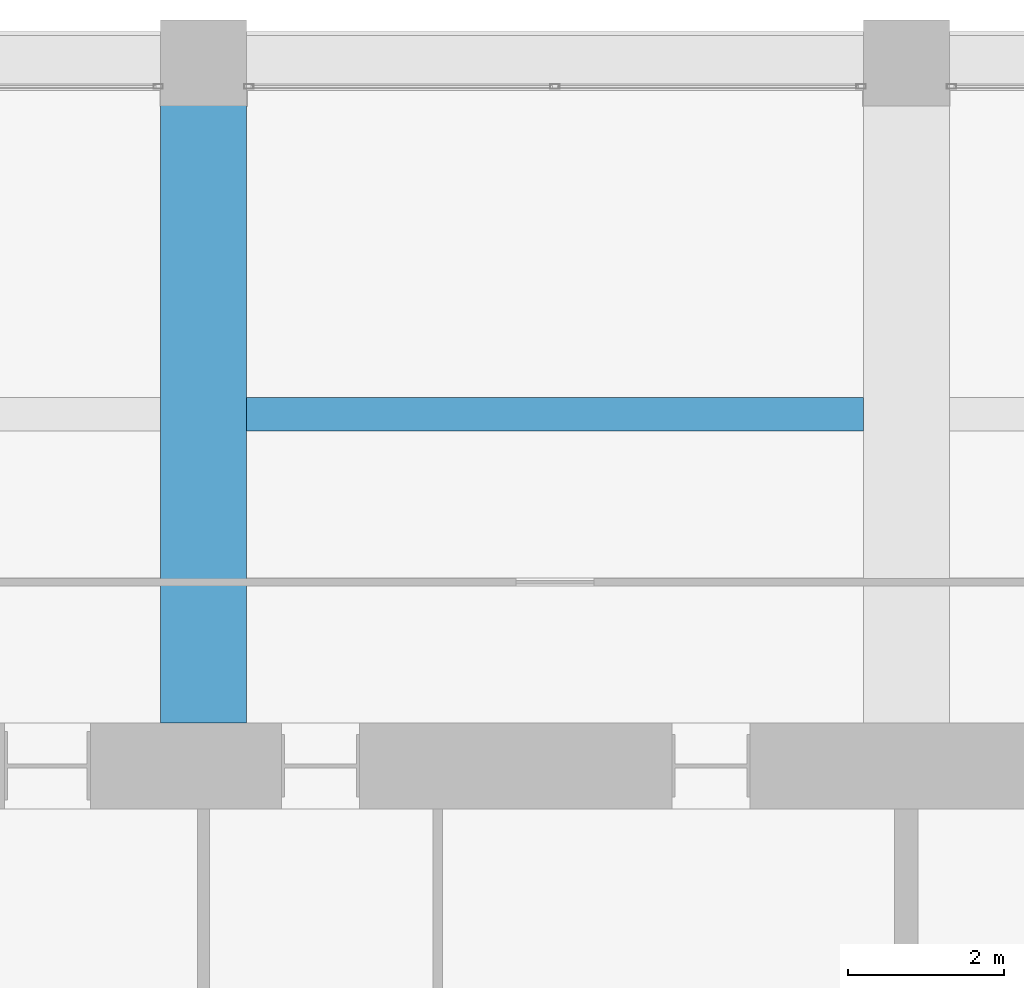
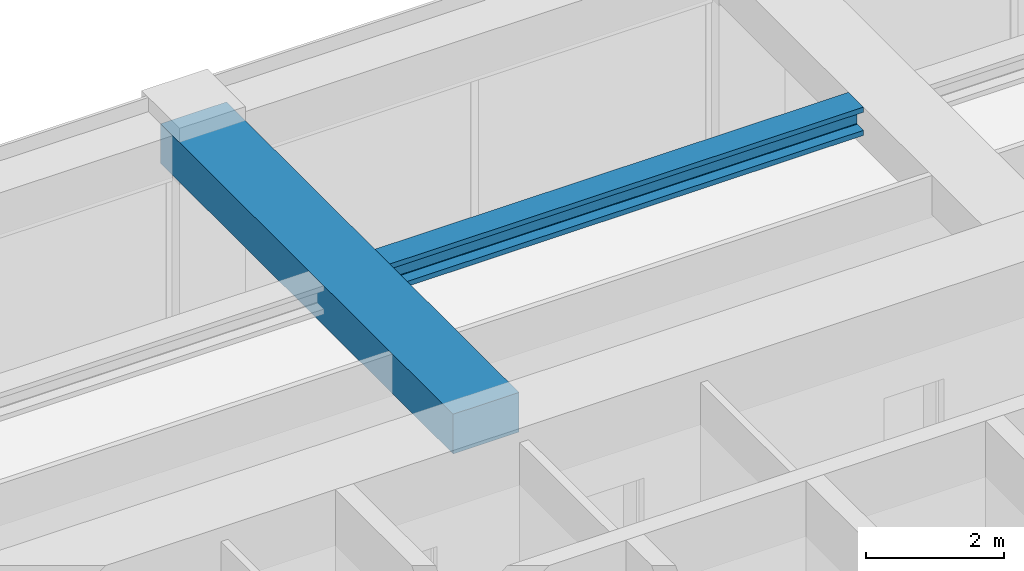
# One storey, part 32 of 44: 2 beams.
"""IFC4 building model written with IfcOpenShell, lengths in metres."""

from ifc_helpers import new_model, si_unit, direction, frame, origin, origin_2d, place, context, subcontext, project, spatial, rectangle, i_section, extrude, material, material_profile, profile_set, type_object, element, save


model = new_model("IFC4")

# Units and contexts
model_context = context("Model", 3, precision=1e-05, world=origin(), true_north=direction((0.0, 1.0)))
body_context = subcontext(model_context, "Body", "Model", "MODEL_VIEW")
ifc_project = project(units=[si_unit("LENGTHUNIT", "METRE"), si_unit("AREAUNIT", "SQUARE_METRE"), si_unit("VOLUMEUNIT", "CUBIC_METRE"), si_unit("PLANEANGLEUNIT", "RADIAN"), si_unit("MASSUNIT", "GRAM", prefix="KILO")], contexts=[model_context])

# Site, building, storey
site_placement = place(None, origin())
site = spatial("IfcSite", under=ifc_project, at=site_placement, CompositionType="ELEMENT")
building_placement = place(site_placement, origin())
building = spatial("IfcBuilding", under=site, at=building_placement, Name="Zorevar Civic Tower", CompositionType="ELEMENT")
storey_placement = place(building_placement, frame((0.0, 0.0, 259.39990234375)))
storey = spatial("IfcBuildingStorey", under=building, at=storey_placement, Name="L63", CompositionType="ELEMENT", Elevation=259.39990234375)

# Beams
ifc_material_1 = material(Name="Concrete C50/60", Category="concrete")
ifc_material_profile_1 = material_profile(ifc_material_1, rectangle(XDim=1.10009765625, YDim=0.699951171875, at=origin_2d()), Name="RC 1100x700")
ifc_profile_set_1 = profile_set([ifc_material_profile_1], Name="Concrete C50/60")
beam_type_1 = type_object("IfcBeamType", Name="Beam RC 1100x700", PredefinedType="BEAM", material=ifc_profile_set_1)
beam_1_placement = place(storey_placement, frame((27.0, 36.550048828125, 3.400146484375), z_axis=(0.0, 1.0, 0.0), x_axis=(-1.0, 0.0, 0.0)))
element("IfcBeam", 1, at=beam_1_placement, inside=storey, type_object=beam_type_1, Name="Girder L64", PredefinedType="BEAM", context=body_context, shape_type="SweptSolid", body=[
    extrude(rectangle(XDim=1.10009765625, YDim=0.699951171875, at=origin_2d()), origin(), (0.0, 0.0, 1.0), 8.449951171875),
])
ifc_material_2 = material(Name="Steel S460M (HISTAR 460)", Category="steel")
ifc_material_profile_2 = material_profile(ifc_material_2, i_section(OverallWidth=0.431884765625, OverallDepth=0.498046875, WebThickness=0.0556640625, FlangeThickness=0.0888671875, FilletRadius=0.014892578125, at=origin_2d()), Name="HD 400x744")
ifc_profile_set_2 = profile_set([ifc_material_profile_2], Name="Steel S460M (HISTAR 460)")
beam_type_2 = type_object("IfcBeamType", Name="Core bay beam HD 400x744", PredefinedType="BEAM", material=ifc_profile_set_2)
beam_2_placement = place(storey_placement, frame((27.550048828125, 40.5, 3.5009765625), z_axis=(1.0, 0.0, 0.0), x_axis=(0.0, 1.0, 0.0)))
element("IfcBeam", 2, at=beam_2_placement, inside=storey, type_object=beam_type_2, Name="Secondary beam L64", PredefinedType="BEAM", context=body_context, shape_type="SweptSolid", body=[
    extrude(i_section(OverallWidth=0.431884765625, OverallDepth=0.498046875, WebThickness=0.0556640625, FlangeThickness=0.0888671875, FilletRadius=0.014892578125, at=origin_2d()), origin(), (0.0, 0.0, 1.0), 7.89990234375),
])

save(model, "model.ifc")
